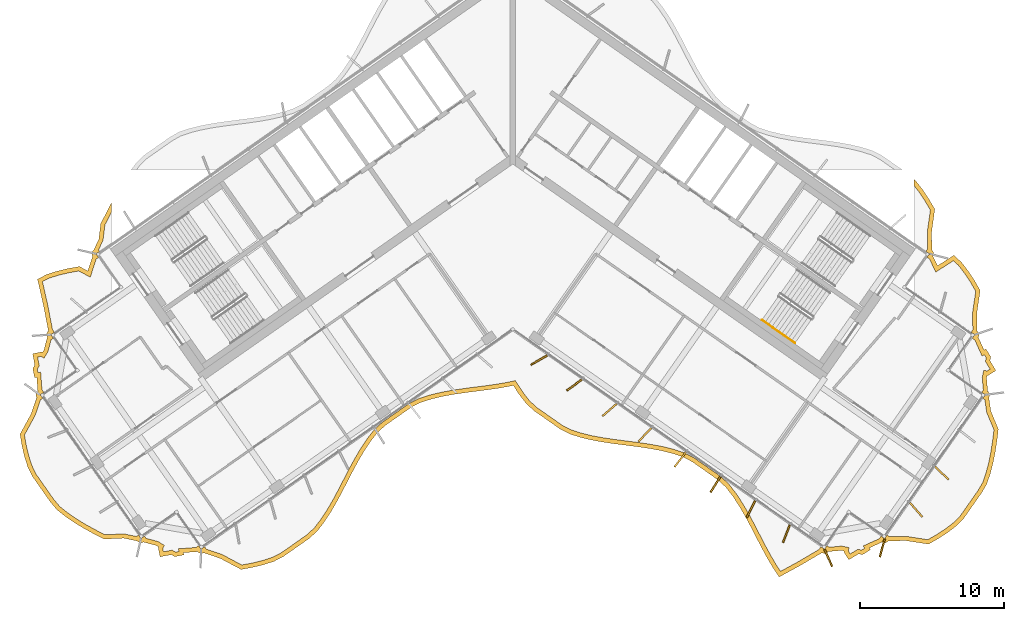
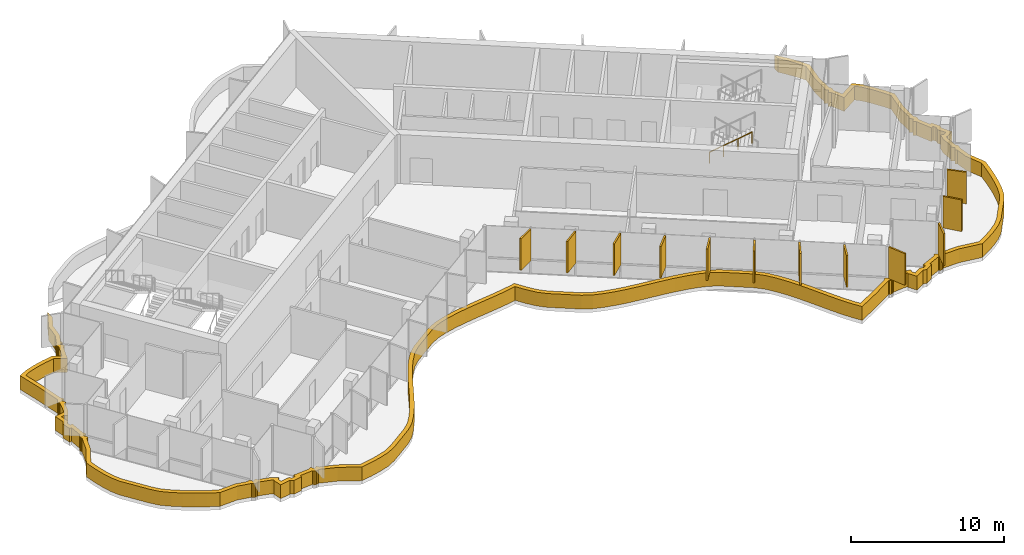
# One storey, part 18 of 20: 13 shading devices, 1 railing.
"""IFC4 building model written with IfcOpenShell, lengths in metres."""

from ifc_helpers import new_model, si_unit, direction, frame, origin, origin_2d, place, context, subcontext, project, spatial, polyline, rectangle, circle, outline, extrude, material, layer, layer_set, type_object, element, save


model = new_model("IFC4")

# Units and contexts
model_context = context("Model", 3, precision=1e-05, world=origin(), true_north=direction((0.0, 1.0)))
body_context = subcontext(model_context, "Body", "Model", "MODEL_VIEW")
ifc_project = project(units=[si_unit("LENGTHUNIT", "METRE"), si_unit("AREAUNIT", "SQUARE_METRE"), si_unit("VOLUMEUNIT", "CUBIC_METRE"), si_unit("PLANEANGLEUNIT", "RADIAN"), si_unit("MASSUNIT", "GRAM", prefix="KILO")], contexts=[model_context])

# Site, building, storey
site_placement = place(None, origin())
site = spatial("IfcSite", under=ifc_project, at=site_placement, CompositionType="ELEMENT")
building_placement = place(site_placement, origin())
building = spatial("IfcBuilding", under=site, at=building_placement, Name="Tel Ilan Convention Tower", CompositionType="ELEMENT")
storey_placement = place(building_placement, frame((0.0, 0.0, 229.300048828125)))
storey = spatial("IfcBuildingStorey", under=building, at=storey_placement, Name="L53", CompositionType="ELEMENT", Elevation=229.300048828125)

# Shading devices
ifc_material_1 = material(Name="Aluminium, bronze anodised", Category="aluminium")
ifc_layer_1 = layer(ifc_material_1, 0.1201171875)
ifc_layer_set_1 = layer_set([ifc_layer_1], Name="FIN BRONZE 1300x120")
shading_device_type_1 = type_object("IfcShadingDeviceType", Name="FIN BRONZE 1300x120", PredefinedType="USERDEFINED", material=ifc_layer_set_1)
for number, where, z_axis, x_axis, name in (
    (1, (1.830078125, -14.84912109375, 1.099853515625), (0.0, 0.0, 1.0), (-0.866025403784, -0.5, 0.0), "FIN"),
    (2, (4.2744140625, -16.583251953125, 1.099853515625), (0.0, 0.0, 1.0), (-0.813552070258, -0.581492071294, 0.0), "FIN"),
    (3, (6.723876953125, -18.3134765625, 1.099853515625), (0.0, 0.0, 1.0), (-0.753435896329, -0.657521368568, 0.0), "FIN"),
    (4, (9.177978515625, -20.039794921875, 1.099853515625), (0.0, 0.0, 1.0), (-0.686241637865, -0.727373641577, 0.0), "FIN"),
    (5, (11.636474609375, -21.761474609375, 1.099853515625), (0.0, 0.0, 1.0), (-0.612600545196, -0.790392669516, 0.0), "FIN"),
    (6, (14.09521484375, -23.483154296875, 1.099853515625), (0.0, 0.0, 1.0), (-0.533204432798, -0.845986425922, 0.0), "FIN"),
    (7, (16.553955078125, -25.20458984375, 1.099853515625), (0.0, 0.0, 1.0), (-0.448799180206, -0.893632640321, 0.0), "FIN"),
    (8, (19.015380859375, -26.920166015625, 1.099853515625), (0.0, 0.0, 1.0), (-0.360177724803, -0.932883704733, 0.0), "FIN"),
    (9, (21.930419921875, -28.595947265625, 1.099853515625), (0.0, 0.0, 1.0), (0.404964282034, -0.914332505315, 0.0), "FIN"),
    (10, (25.678955078125, -27.903564453125, 1.099853515625), (0.0, 0.0, 1.0), (-0.258819045103, -0.965925826289, 0.0), "FIN"),
    (11, (28.03125, -25.25048828125, 1.099853515625), (0.0, 0.0, 1.0), (0.657521368568, -0.753435896329, 0.0), "FIN"),
    (12, (29.8212890625, -22.705078125, 1.099853515625), (0.0, 0.0, 1.0), (0.727373641577, -0.686241637865, 0.0), "FIN"),
):
    element("IfcShadingDevice", number, at=place(storey_placement, frame(where, z_axis=z_axis, x_axis=x_axis)), inside=storey, type_object=shading_device_type_1, Name=name, ObjectType="FIN", PredefinedType="USERDEFINED", context=body_context, shape_type="SweptSolid", body=[
        extrude(rectangle(XDim=1.300048828125, YDim=0.1201171875, at=origin_2d()), origin(), (0.0, 0.0, 1.0), 2.52001953125),
    ])
ifc_material_2 = material(Name="Aluminium, bronze anodised", Category="aluminium")
ifc_layer_2 = layer(ifc_material_2, 0.300048828125)
ifc_layer_set_2 = layer_set([ifc_layer_2], Name="LOUVRE BAND 300x1100")
shading_device_type_2 = type_object("IfcShadingDeviceType", Name="LOUVRE BAND 300x1100", PredefinedType="USERDEFINED", material=ifc_layer_set_2)
shading_device_placement = place(storey_placement, origin())
element("IfcShadingDevice", 13, at=shading_device_placement, inside=storey, type_object=shading_device_type_2, Name="LOUVRE BAND 42.01", ObjectType="LOUVRE", PredefinedType="USERDEFINED", context=body_context, shape_type="SweptSolid", body=[
    extrude(outline(polyline([(-33.47021484375, -18.574462890625), (-34.248779296875, -19.995849609375), (-34.1181640625, -20.780517578125), (-33.940185546875, -21.531982421875), (-33.7158203125, -22.2509765625), (-33.401611328125, -22.906982421875), (-32.166748046875, -24.670654296875), (-31.707763671875, -25.22509765625), (-31.125732421875, -25.69384765625), (-30.49462890625, -26.1279296875), (-29.82373046875, -26.5341796875), (-29.12353515625, -26.920166015625), (-28.398193359375, -27.288330078125), (-27.05419921875, -27.223388671875), (-26.083984375, -27.420166015625), (-26.05517578125, -27.46337890625), (-25.957763671875, -27.5283203125), (-25.843017578125, -27.55126953125), (-25.728271484375, -27.5283203125), (-25.674072265625, -27.492431640625), (-24.7724609375, -27.73388671875), (-24.61669921875, -27.828857421875), (-24.64697265625, -27.878662109375), (-24.51416015625, -28.518310546875), (-23.728759765625, -28.3701171875), (-23.49462890625, -28.5126953125), (-22.855224609375, -28.3798828125), (-22.8828125, -28.233154296875), (-21.90576171875, -28.15673828125), (-21.876953125, -28.2001953125), (-21.779541015625, -28.26513671875), (-21.664794921875, -28.2880859375), (-21.550048828125, -28.26513671875), (-21.49609375, -28.22900390625), (-20.311279296875, -28.64013671875), (-18.883544921875, -29.3984375), (-18.087646484375, -29.25439453125), (-17.32080078125, -29.068359375), (-16.588623046875, -28.833251953125), (-15.931640625, -28.490478515625), (-14.12646484375, -27.226318359375), (-13.582763671875, -26.721923828125), (-13.1123046875, -26.113037109375), (-12.67626953125, -25.454833984375), (-12.267333984375, -24.7578125), (-11.877197265625, -24.033935546875), (-11.11572265625, -22.56005859375), (-10.724853515625, -21.83740234375), (-10.314697265625, -21.142333984375), (-9.877197265625, -20.486572265625), (-9.404541015625, -19.88037109375), (-8.85498046875, -19.384765625), (-7.049560546875, -18.12060546875), (-6.386474609375, -17.78662109375), (-5.65234375, -17.55419921875), (-4.884033203125, -17.370849609375), (-4.088623046875, -17.225830078125), (-3.274658203125, -17.107421875), (-1.629150390625, -16.895751953125), (-0.816650390625, -16.775146484375), (0.033203125, -16.6123046875), (0.470458984375, -17.269775390625), (0.94189453125, -17.877197265625), (1.488525390625, -18.377197265625), (3.2939453125, -19.641357421875), (3.953857421875, -19.979736328125), (4.68701171875, -20.213623046875), (5.45458984375, -20.398193359375), (6.24951171875, -20.5439453125), (7.06298828125, -20.6630859375), (8.70849609375, -20.87451171875), (9.521240234375, -20.99462890625), (10.314697265625, -21.142333984375), (11.080810546875, -21.329345703125), (11.811767578125, -21.56591796875), (12.4658203125, -21.912841796875), (14.27099609375, -23.177001953125), (14.811767578125, -23.685791015625), (15.28125, -24.29638671875), (15.71630859375, -24.95556640625), (16.12451171875, -25.653564453125), (16.51416015625, -26.3779296875), (17.27587890625, -27.851806640625), (17.6669921875, -28.573974609375), (18.077880859375, -29.26806640625), (18.5185546875, -29.91943359375), (19.969482421875, -29.128173828125), (21.49609375, -28.22900390625), (21.550048828125, -28.26513671875), (21.664794921875, -28.2880859375), (21.779541015625, -28.26513671875), (21.876953125, -28.2001953125), (21.90576171875, -28.15673828125), (22.8359375, -28.075439453125), (23.0146484375, -28.111328125), (23.003173828125, -28.168701171875), (23.3466796875, -28.72412109375), (24.0341796875, -28.316162109375), (24.302734375, -28.370361328125), (24.8583984375, -28.02685546875), (24.7822265625, -27.8984375), (25.674072265625, -27.492431640625), (25.728271484375, -27.5283203125), (25.843017578125, -27.55126953125), (25.957763671875, -27.5283203125), (26.05517578125, -27.46337890625), (26.083984375, -27.420166015625), (27.2958984375, -27.392578125), (28.897705078125, -27.637939453125), (29.59033203125, -27.246826171875), (30.235595703125, -26.82275390625), (30.83447265625, -26.365966796875), (31.343505859375, -25.846435546875), (32.578369140625, -24.082763671875), (32.942626953125, -23.461669921875), (33.183837890625, -22.75439453125), (33.376220703125, -22.012939453125), (33.5283203125, -21.243408203125), (33.6513671875, -20.45361328125), (33.749267578125, -19.64599609375), (33.228759765625, -18.405517578125), (33.081787109375, -17.426513671875), (33.11767578125, -17.372314453125), (33.140625, -17.257568359375), (33.11767578125, -17.142822265625), (33.052734375, -17.04541015625), (33.009521484375, -17.0166015625), (32.92822265625, -16.086669921875), (32.964111328125, -15.90771484375), (33.021240234375, -15.919189453125), (33.57666015625, -15.57568359375), (33.1689453125, -14.88818359375), (33.222900390625, -14.61962890625), (32.87939453125, -14.06396484375), (32.7509765625, -14.14013671875), (32.344970703125, -13.248291015625), (32.381103515625, -13.1943359375), (32.40380859375, -13.079345703125), (32.381103515625, -12.964599609375), (32.31591796875, -12.8671875), (32.272705078125, -12.83837890625), (32.248779296875, -11.6083984375), (32.485595703125, -10.006103515625), (32.0869140625, -9.3115234375), (31.6572265625, -8.661376953125), (31.194091796875, -8.05859375), (30.656494140625, -7.5625), (29.52001953125, -8.2939453125), (29.199951171875, -7.6279296875), (29.236083984375, -7.57373046875), (29.2587890625, -7.458984375), (29.236083984375, -7.34423828125), (29.1708984375, -7.246826171875), (29.127685546875, -7.218017578125), (29.10986328125, -5.95947265625), (29.331298828125, -4.35888671875), (28.922119140625, -3.659423828125), (28.48388671875, -3.001220703125), (28.0107421875, -2.392822265625), (27.874755859375, -2.269287109375), (27.874755859375, -2.70654296875), (28.240234375, -3.176513671875), (28.66748046875, -3.818359375), (29.02001953125, -4.420654296875), (28.809326171875, -5.941162109375), (28.829345703125, -7.12109375), (28.713134765625, -7.286865234375), (28.958740234375, -7.458984375), (28.787353515625, -7.705322265625), (28.9677734375, -7.83154296875), (29.395751953125, -8.730712890625), (30.62353515625, -7.9404296875), (30.971923828125, -8.26171875), (31.412841796875, -8.83544921875), (31.83154296875, -9.46923828125), (32.173583984375, -10.065185546875), (31.948486328125, -11.589599609375), (31.973876953125, -12.7421875), (31.858154296875, -12.9072265625), (32.103759765625, -13.079345703125), (31.932373046875, -13.32568359375), (32.110107421875, -13.449951171875), (32.615478515625, -14.5693359375), (32.779052734375, -14.472412109375), (32.905517578125, -14.676513671875), (32.85205078125, -14.942138671875), (33.16845703125, -15.475341796875), (32.964111328125, -15.6015625), (32.72900390625, -15.554443359375), (32.62548828125, -16.0703125), (32.703857421875, -16.9296875), (32.594970703125, -17.08544921875), (32.840576171875, -17.257568359375), (32.669189453125, -17.50390625), (32.80810546875, -17.60107421875), (32.937255859375, -18.486328125), (33.44189453125, -19.68896484375), (33.354248046875, -20.412353515625), (33.23291015625, -21.191162109375), (33.08349609375, -21.9462890625), (32.896240234375, -22.668212890625), (32.66845703125, -23.3359375), (32.32568359375, -23.920654296875), (31.112060546875, -25.654052734375), (30.63525390625, -26.140625), (30.06201171875, -26.577880859375), (29.43408203125, -26.99072265625), (28.840576171875, -27.32568359375), (27.31494140625, -27.091796875), (26.179931640625, -27.120849609375), (26.01513671875, -27.005615234375), (25.843017578125, -27.251220703125), (25.5966796875, -27.079833984375), (25.472412109375, -27.257568359375), (24.35302734375, -27.762939453125), (24.4501953125, -27.926513671875), (24.245849609375, -28.052734375), (23.980224609375, -27.99951171875), (23.447021484375, -28.31591796875), (23.32080078125, -28.111572265625), (23.367919921875, -27.87646484375), (22.85205078125, -27.772705078125), (21.99267578125, -27.851318359375), (21.8369140625, -27.7421875), (21.664794921875, -27.988037109375), (21.418701171875, -27.816650390625), (21.284423828125, -28.008056640625), (19.82177734375, -28.866943359375), (18.6142578125, -29.525634765625), (18.331298828125, -29.107666015625), (17.92822265625, -28.426025390625), (17.541015625, -27.71142578125), (16.779541015625, -26.238037109375), (16.38623046875, -25.506591796875), (15.97119140625, -24.797119140625), (15.525634765625, -24.1220703125), (15.034912109375, -23.48388671875), (14.4609375, -22.94384765625), (12.62255859375, -21.656494140625), (11.92919921875, -21.288818359375), (11.16259765625, -21.04052734375), (10.3779296875, -20.848876953125), (9.570556640625, -20.69873046875), (8.749755859375, -20.577392578125), (7.103759765625, -20.36572265625), (6.29833984375, -20.248046875), (5.516845703125, -20.1044921875), (4.767822265625, -19.924560546875), (4.068603515625, -19.701416015625), (3.44921875, -19.3837890625), (1.6767578125, -18.142822265625), (1.163330078125, -17.673095703125), (0.714111328125, -17.094482421875), (0.165771484375, -16.269775390625), (-0.087890625, -16.33349609375), (-0.866455078125, -16.479248046875), (-1.67041015625, -16.5986328125), (-3.315185546875, -16.81005859375), (-4.136962890625, -16.9296875), (-4.945556640625, -17.0771484375), (-5.732666015625, -17.264892578125), (-6.5, -17.5078125), (-7.203857421875, -17.8623046875), (-9.042236328125, -19.1494140625), (-9.625, -19.67529296875), (-10.12060546875, -20.310791015625), (-10.56884765625, -20.982666015625), (-10.986083984375, -21.68994140625), (-11.380859375, -22.419677734375), (-12.142578125, -23.89404296875), (-12.529052734375, -24.61083984375), (-12.930908203125, -25.2958984375), (-13.356201171875, -25.938232421875), (-13.804931640625, -26.518798828125), (-14.315185546875, -26.992431640625), (-16.087890625, -28.233642578125), (-16.704833984375, -28.555419921875), (-17.402099609375, -28.779541015625), (-18.149658203125, -28.960693359375), (-18.83447265625, -29.084716796875), (-20.19140625, -28.3642578125), (-21.302978515625, -27.981689453125), (-21.418701171875, -27.816650390625), (-21.664794921875, -27.988037109375), (-21.8369140625, -27.7421875), (-22.01513671875, -27.8671875), (-23.239990234375, -27.959228515625), (-23.20458984375, -28.14599609375), (-23.439697265625, -28.19482421875), (-23.671142578125, -28.053955078125), (-24.2802734375, -28.1689453125), (-24.3291015625, -27.933837890625), (-24.204345703125, -27.72900390625), (-24.65380859375, -27.455078125), (-25.48828125, -27.23486328125), (-25.5966796875, -27.079833984375), (-25.843017578125, -27.251220703125), (-26.01513671875, -27.005615234375), (-26.15478515625, -27.103271484375), (-27.03076171875, -26.921875), (-28.333251953125, -26.98486328125), (-28.983154296875, -26.65478515625), (-29.673583984375, -26.2744140625), (-30.331787109375, -25.8759765625), (-30.946533203125, -25.453125), (-31.495849609375, -25.010498046875), (-31.927978515625, -24.488525390625), (-33.141845703125, -22.755126953125), (-33.43603515625, -22.140869140625), (-33.650634765625, -21.45263671875), (-33.823974609375, -20.72119140625), (-33.935791015625, -20.048828125), (-33.1943359375, -18.6953125), (-32.833251953125, -17.61865234375), (-32.669189453125, -17.50390625), (-32.840576171875, -17.257568359375), (-32.594970703125, -17.08544921875), (-32.7197265625, -16.9072265625), (-32.811767578125, -15.6826171875), (-32.998779296875, -15.7177734375), (-33.047607421875, -15.482666015625), (-32.906494140625, -15.251220703125), (-33.021484375, -14.64208984375), (-32.786376953125, -14.59326171875), (-32.58154296875, -14.718017578125), (-32.3076171875, -14.268798828125), (-32.087646484375, -13.434326171875), (-31.932373046875, -13.32568359375), (-32.103759765625, -13.079345703125), (-31.858154296875, -12.9072265625), (-31.993408203125, -12.714111328125), (-32.314697265625, -11.033447265625), (-32.68798828125, -9.385986328125), (-32.26708984375, -9.168701171875), (-31.5771484375, -8.950439453125), (-30.838623046875, -8.77392578125), (-30.161376953125, -8.65625), (-29.363525390625, -9.087646484375), (-28.950439453125, -7.8193359375), (-28.787353515625, -7.705322265625), (-28.958740234375, -7.458984375), (-28.713134765625, -7.286865234375), (-28.785888671875, -7.182861328125), (-28.480224609375, -6.525634765625), (-28.343994140625, -5.44384765625), (-27.874755859375, -4.536376953125), (-27.874755859375, -3.881103515625), (-28.635009765625, -5.353271484375), (-28.772216796875, -6.441650390625), (-29.127685546875, -7.218017578125), (-29.1708984375, -7.246826171875), (-29.236083984375, -7.34423828125), (-29.2587890625, -7.458984375), (-29.236083984375, -7.57373046875), (-29.199951171875, -7.6279296875), (-29.537353515625, -8.652587890625), (-30.110107421875, -8.3427734375), (-30.899169921875, -8.47998046875), (-31.6572265625, -8.661376953125), (-32.3818359375, -8.890380859375), (-33.031982421875, -9.225830078125), (-32.6083984375, -11.094970703125), (-32.272705078125, -12.83837890625), (-32.31591796875, -12.8671875), (-32.381103515625, -12.964599609375), (-32.40380859375, -13.079345703125), (-32.381103515625, -13.1943359375), (-32.344970703125, -13.248291015625), (-32.586669921875, -14.14990234375), (-32.681640625, -14.3056640625), (-32.7314453125, -14.275390625), (-33.370849609375, -14.408203125), (-33.22265625, -15.193603515625), (-33.365478515625, -15.427734375), (-33.232666015625, -16.067138671875), (-33.0859375, -16.03955078125), (-33.009521484375, -17.0166015625), (-33.052734375, -17.04541015625), (-33.11767578125, -17.142822265625), (-33.140625, -17.257568359375), (-33.11767578125, -17.372314453125), (-33.081787109375, -17.426513671875), (-33.47021484375, -18.574462890625)])), origin(), (0.0, 0.0, 1.0), 1.099853515625),
])

# Railing
ifc_material_3 = material(Name="Stainless Steel Grade 316", Category="steel")
railing_type = type_object("IfcRailingType", Name="Stainless Steel Stair Handrail 900 mm", PredefinedType="HANDRAIL", material=ifc_material_3)
railing_placement = place(storey_placement, frame((17.312744140625, -12.0615234375, 2.127197265625)))
element("IfcRailing", 14, at=railing_placement, inside=storey, type_object=railing_type, Name="L53 S4 stair handrail 2", PredefinedType="HANDRAIL", context=body_context, shape_type="SweptSolid", body=[
    extrude(circle(Radius=0.02392578125, at=origin_2d()), frame((0.0, 0.0, 0.8759765625), z_axis=(0.692123088272, -0.484596665743, 0.534912798717), x_axis=(0.573550118428, 0.819170471667, 0.0)), (0.0, 0.0, 1.0), 3.31396484375),
    extrude(circle(Radius=0.02099609375, at=origin_2d()), origin(), (0.0, 0.0, 1.0), 0.851806640625),
    extrude(circle(Radius=0.02099609375, at=origin_2d()), frame((0.7646484375, -0.535400390625, 0.5908203125)), (0.0, 0.0, 1.0), 0.851806640625),
    extrude(circle(Radius=0.02099609375, at=origin_2d()), frame((1.529052734375, -1.070556640625, 1.181884765625)), (0.0, 0.0, 1.0), 0.851806640625),
    extrude(circle(Radius=0.02099609375, at=origin_2d()), frame((2.293701171875, -1.60595703125, 1.772705078125)), (0.0, 0.0, 1.0), 0.851806640625),
])

save(model, "model.ifc")
